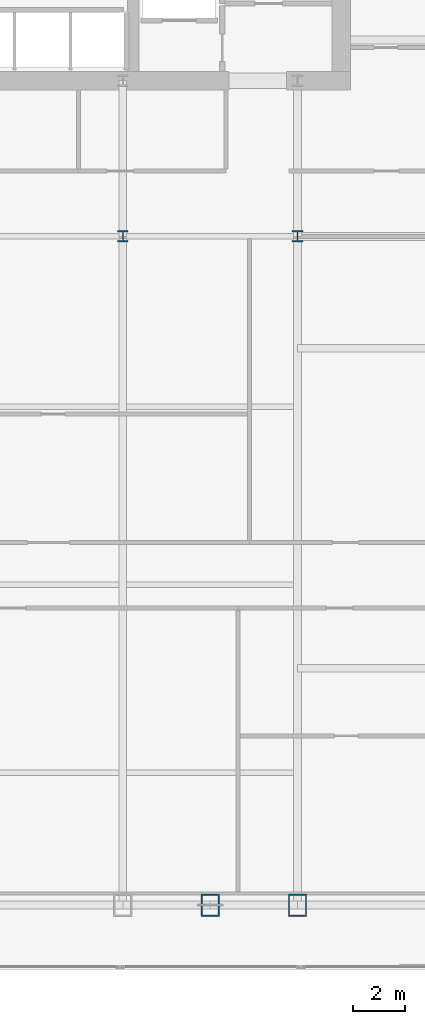
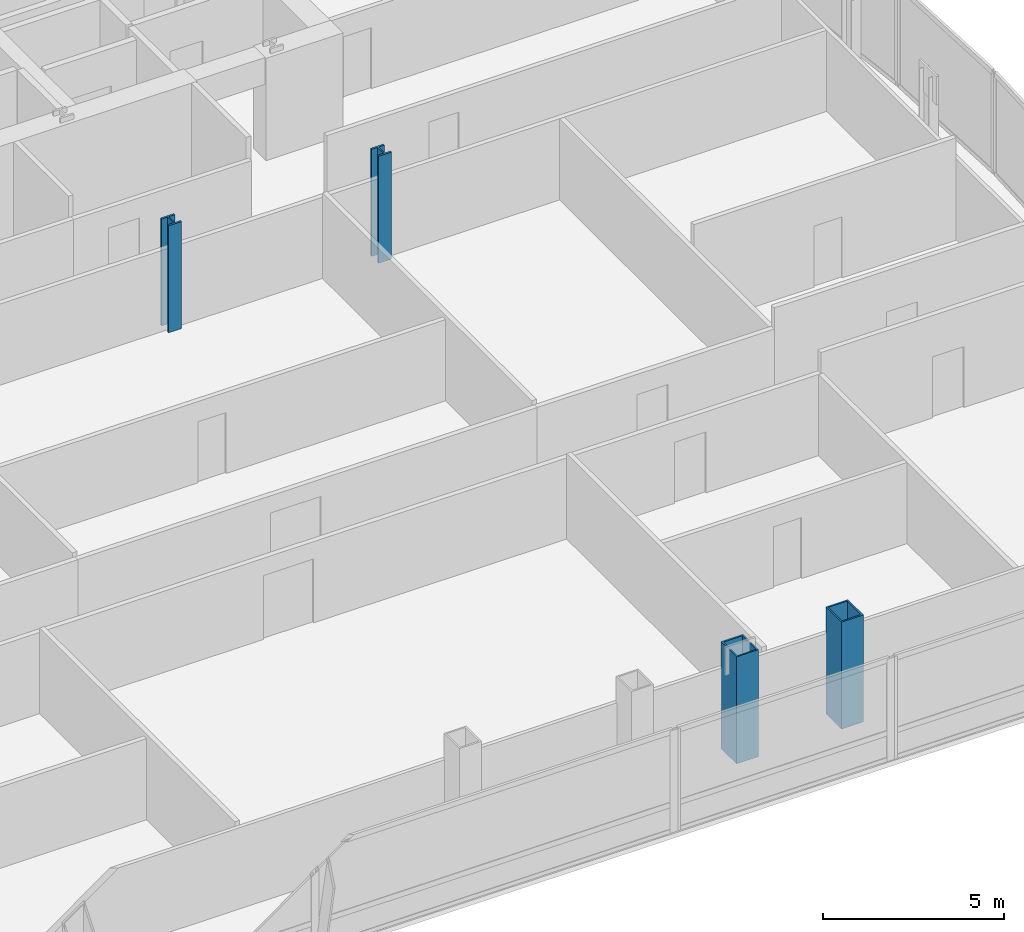
# One storey, part 2 of 32: 4 columns.
"""IFC4 building model written with IfcOpenShell, lengths in metres."""

from ifc_helpers import new_model, si_unit, direction, frame, origin, origin_2d, place, context, subcontext, project, spatial, hollow_rectangle, i_section, extrude, material, material_profile, profile_set, type_object, element, save


model = new_model("IFC4")

# Units and contexts
model_context = context("Model", 3, precision=1e-05, world=origin(), true_north=direction((0.0, 1.0)))
body_context = subcontext(model_context, "Body", "Model", "MODEL_VIEW")
ifc_project = project(units=[si_unit("LENGTHUNIT", "METRE"), si_unit("AREAUNIT", "SQUARE_METRE"), si_unit("VOLUMEUNIT", "CUBIC_METRE"), si_unit("PLANEANGLEUNIT", "RADIAN"), si_unit("MASSUNIT", "GRAM", prefix="KILO")], contexts=[model_context])

# Site, building, storey
site_placement = place(None, origin())
site = spatial("IfcSite", under=ifc_project, at=site_placement, CompositionType="ELEMENT")
building_placement = place(site_placement, origin())
building = spatial("IfcBuilding", under=site, at=building_placement, Name="Khoronbel Lancet Exchange", CompositionType="ELEMENT")
storey_placement = place(building_placement, frame((0.0, 0.0, 125.39990234375)))
storey = spatial("IfcBuildingStorey", under=building, at=storey_placement, Name="L30", CompositionType="ELEMENT", Elevation=125.39990234375)

# Columns
ifc_material = material(Name="Steel S460", Category="steel")
ifc_material_profile_1 = material_profile(ifc_material, hollow_rectangle(XDim=0.699951171875, YDim=0.85009765625, WallThickness=0.050048828125, at=origin_2d()), Name="BOX 850x700x50")
ifc_profile_set_1 = profile_set([ifc_material_profile_1], Name="Steel S460")
column_type_1 = type_object("IfcColumnType", Name="COL-EC2", PredefinedType="COLUMN", material=ifc_profile_set_1)
for number, where, z_axis, x_axis, name in (
    (1, (51.33740234375, 10.14990234375, 0.0), (0.0, 0.0, 1.0), (1.0, 0.0, 0.0), "Structural column SC-EM L30"),
    (2, (54.675048828125, 10.14990234375, 0.0), (0.0, 0.0, 1.0), (1.0, 0.0, 0.0), "Structural column SC-E2 L30"),
):
    element("IfcColumn", number, at=place(storey_placement, frame(where, z_axis=z_axis, x_axis=x_axis)), inside=storey, type_object=column_type_1, Name=name, PredefinedType="COLUMN", context=body_context, shape_type="SweptSolid", body=[
        extrude(hollow_rectangle(XDim=0.699951171875, YDim=0.85009765625, WallThickness=0.050048828125, at=origin_2d()), origin(), (0.0, 0.0, 1.0), 3.60009765625),
    ])
ifc_material_profile_2 = material_profile(ifc_material, i_section(OverallWidth=0.416015625, OverallDepth=0.446044921875, WebThickness=0.0390625, FlangeThickness=0.062744140625, at=origin_2d()), Name="HD 400x509")
ifc_profile_set_2 = profile_set([ifc_material_profile_2], Name="Steel S460")
column_type_2 = type_object("IfcColumnType", Name="COL-IC2", PredefinedType="COLUMN", material=ifc_profile_set_2)
for number, where, z_axis, x_axis, name in (
    (3, (48.0, 35.699951171875, 0.0), (0.0, 0.0, 1.0), (1.0, 0.0, 0.0), "Spine gravity column TC3 L30"),
    (4, (54.675048828125, 35.699951171875, 0.0), (0.0, 0.0, 1.0), (1.0, 0.0, 0.0), "Spine gravity column TC4 L30"),
):
    element("IfcColumn", number, at=place(storey_placement, frame(where, z_axis=z_axis, x_axis=x_axis)), inside=storey, type_object=column_type_2, Name=name, PredefinedType="COLUMN", context=body_context, shape_type="SweptSolid", body=[
        extrude(i_section(OverallWidth=0.416015625, OverallDepth=0.446044921875, WebThickness=0.0390625, FlangeThickness=0.062744140625, at=origin_2d()), origin(), (0.0, 0.0, 1.0), 3.60009765625),
    ])

save(model, "model.ifc")
